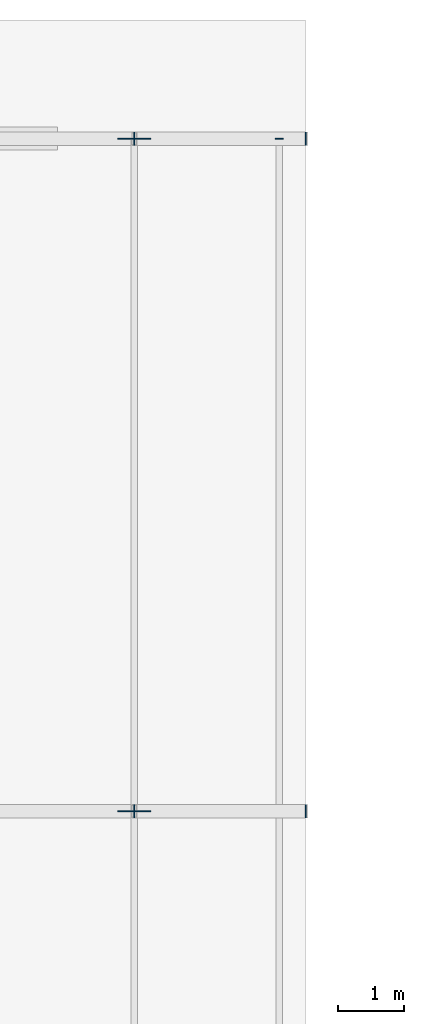
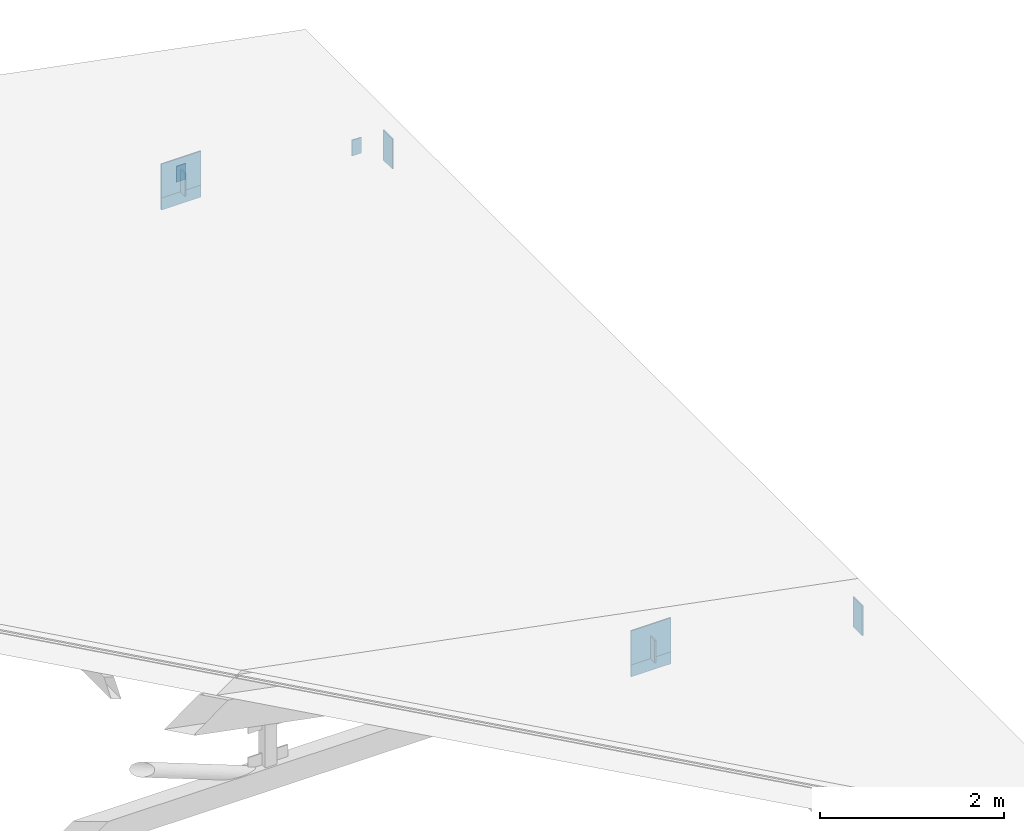
# One storey, part 169 of 200: 10 plates.
"""IFC4 building model written with IfcOpenShell, lengths in metres."""

import ifcopenshell
import ifcopenshell.guid

model = None  # the IFC model being written
_history = None  # IfcOwnerHistory: only IFC2X3 demands one
_inside = {}  # id of a spatial element -> (the spatial element, [elements in it])
_under = {}  # id of a project, library or spatial element -> (it, [spatial elements below it])
_declared = {}  # id of a project -> (the project, [libraries it declares])
_typed = {}  # id of a type object -> (the type object, [elements of that type])
_made_of = {}  # id of a material, layer set ... -> (it, [elements and type objects made of it])


def new_model(schema):
    """Start an empty IFC model of exactly this schema.

    Asked for "IFC4X3", IfcOpenShell would pick the latest addendum, in which some entities
    have other attributes; the version numbers below select the first issue.
    IFC2X3 requires an IfcOwnerHistory on every rooted entity: one is made here for all.
    """
    global model, _history
    if schema == "IFC4X3":
        model = ifcopenshell.file(schema_version=(4, 3, 0, 0))
    else:
        model = ifcopenshell.file(schema=schema)
    _inside.clear()
    _under.clear()
    _declared.clear()
    _typed.clear()
    _made_of.clear()
    _history = None
    if model.schema == "IFC2X3":
        org = make("IfcOrganization", Name="unknown")
        user = make(
            "IfcPersonAndOrganization",
            ThePerson=make("IfcPerson", FamilyName="unknown"),
            TheOrganization=org,
        )
        app = make(
            "IfcApplication",
            ApplicationDeveloper=org,
            Version="unknown",
            ApplicationFullName="unknown",
            ApplicationIdentifier="unknown",
        )
        _history = make(
            "IfcOwnerHistory",
            OwningUser=user,
            OwningApplication=app,
            ChangeAction="ADDED",
            CreationDate=0,
        )
    return model


def make(cls, **values):
    """One entity of the class cls with the attributes given. An attribute that is None is left unset."""
    return model.create_entity(
        cls, **{name: value for name, value in values.items() if value is not None}
    )


def rooted(cls, **values):
    """An entity with a GlobalId (a new one), such as an element, a storey or a relation."""
    return make(cls, GlobalId=ifcopenshell.guid.new(), OwnerHistory=_history, **values)


def si_unit(unit_type, name, prefix=None):
    """IfcSIUnit, for example si_unit("LENGTHUNIT", "METRE", prefix="MILLI")."""
    return make("IfcSIUnit", UnitType=unit_type, Prefix=prefix, Name=name)


def assignment(units):
    """IfcUnitAssignment: the units of a project."""
    return None if units is None else make("IfcUnitAssignment", Units=units)


def point(xyz):
    """IfcCartesianPoint."""
    return None if xyz is None else make("IfcCartesianPoint", Coordinates=xyz)


def direction(xyz):
    """IfcDirection."""
    return None if xyz is None else make("IfcDirection", DirectionRatios=xyz)


def frame(location, z_axis=None, x_axis=None):
    """IfcAxis2Placement3D, a coordinate frame: its origin and axes. An axis left out is left unset."""
    return make(
        "IfcAxis2Placement3D",
        Location=point(location),
        Axis=direction(z_axis),
        RefDirection=direction(x_axis),
    )


def frame_2d(location, x_axis=None):
    """IfcAxis2Placement2D, a coordinate frame in the plane: its origin and x axis."""
    return make(
        "IfcAxis2Placement2D", Location=point(location), RefDirection=direction(x_axis)
    )


def origin():
    """The frame at (0, 0, 0) with its axes left unset."""
    return frame((0.0, 0.0, 0.0))


def origin_2d():
    """The frame at (0, 0) in the plane with its x axis left unset."""
    return frame_2d((0.0, 0.0))


def place(relative_to, where):
    """IfcLocalPlacement: puts the frame where relative to a parent placement (None: the world)."""
    return make(
        "IfcLocalPlacement", PlacementRelTo=relative_to, RelativePlacement=where
    )


def context(
    kind, dimensions, precision=None, world=None, true_north=None, identifier=None
):
    """IfcGeometricRepresentationContext, for example the 3D "Model" context."""
    return make(
        "IfcGeometricRepresentationContext",
        ContextIdentifier=identifier,
        ContextType=kind,
        CoordinateSpaceDimension=dimensions,
        Precision=precision,
        WorldCoordinateSystem=world,
        TrueNorth=true_north,
    )


def subcontext(parent, identifier, kind, view, scale=None):
    """IfcGeometricRepresentationSubContext, for example "Body" below "Model"."""
    return make(
        "IfcGeometricRepresentationSubContext",
        ContextIdentifier=identifier,
        ContextType=kind,
        ParentContext=parent,
        TargetScale=scale,
        TargetView=view,
    )


def project(units=None, contexts=None):
    """IfcProject with its units and contexts."""
    return rooted(
        "IfcProject",
        Name="project",
        RepresentationContexts=contexts,
        UnitsInContext=assignment(units),
    )


def spatial(cls, under=None, at=None, **own):
    """A site, building, storey or space (cls), placed at a placement, below another one or the project."""
    s = rooted(cls, ObjectPlacement=at, **own)
    if under is not None:
        _under.setdefault(under.id(), (under, []))[1].append(s)
    return s


def profile(cls, at=None, kind="AREA", **sizes):
    """A parametric profile (cls). Its sizes go by their IFC names, for example OverallWidth=200.0."""
    return make(cls, ProfileType=kind, Position=at, **sizes)


def rectangle(**sizes):
    """IfcRectangleProfileDef."""
    return profile("IfcRectangleProfileDef", **sizes)


def extrude(swept, where, along, depth):
    """IfcExtrudedAreaSolid: the profile swept, set in the frame where, extruded along a direction by depth."""
    return make(
        "IfcExtrudedAreaSolid",
        SweptArea=swept,
        Position=where,
        ExtrudedDirection=direction(along),
        Depth=depth,
    )


def shape(context_of_items, identifier, shape_type, items):
    """IfcShapeRepresentation: the items that make up one representation, for example the "Body"."""
    return make(
        "IfcShapeRepresentation",
        ContextOfItems=context_of_items,
        RepresentationIdentifier=identifier,
        RepresentationType=shape_type,
        Items=items,
    )


def material(Name=None, Category=None):
    """IfcMaterial."""
    return make("IfcMaterial", Name=Name, Category=Category)


def layer(
    of_material, thickness, ventilated=None, Name=None, Category=None, Priority=None
):
    """IfcMaterialLayer: one layer of a wall or slab, of a material (None: an air gap)."""
    return make(
        "IfcMaterialLayer",
        Material=of_material,
        LayerThickness=thickness,
        IsVentilated=ventilated,
        Name=Name,
        Category=Category,
        Priority=Priority,
    )


def layer_set(layers, Name=None):
    """IfcMaterialLayerSet."""
    return make("IfcMaterialLayerSet", MaterialLayers=layers, LayerSetName=Name)


def made_of(thing, what):
    """Note that an element or type object is made of a material, layer set ...; save() writes the relation."""
    if what is not None:
        _made_of.setdefault(what.id(), (what, []))[1].append(thing)
    return thing


def type_object(cls, material=None, **own):
    """A type object (cls), such as IfcWallType, which elements share."""
    return made_of(rooted(cls, **own), material)


def element(
    cls,
    number,
    at=None,
    inside=None,
    cuts=None,
    type_object=None,
    material=None,
    context=None,
    identifier="Body",
    shape_type=None,
    held_by="IfcProductDefinitionShape",
    body=None,
    shapes=None,
    **own,
):
    """One element of the class cls, such as IfcWall. Its Tag is "e" and its number.

    at: its placement. inside: the storey or other place that contains it. cuts: it is an
    opening in that element (IfcRelVoidsElement). A single representation is given by context,
    identifier, shape_type and body (its items); several are given by shapes. held_by: the class
    of the entity that holds the representations. save() writes the other relations.
    """
    e = rooted(cls, Tag="e%d" % number, ObjectPlacement=at, **own)
    if body is not None:
        shapes = [shape(context, identifier, shape_type, body)]
    if shapes is not None:
        e.Representation = make(held_by, Representations=shapes)
    if inside is not None:
        _inside.setdefault(inside.id(), (inside, []))[1].append(e)
    if cuts is not None:
        rooted(
            "IfcRelVoidsElement", RelatingBuildingElement=cuts, RelatedOpeningElement=e
        )
    if type_object is not None:
        _typed.setdefault(type_object.id(), (type_object, []))[1].append(e)
    return made_of(e, material)


def aggregate(whole, parts):
    """IfcRelAggregates: a whole, such as a stair, and the parts it consists of."""
    return rooted("IfcRelAggregates", RelatingObject=whole, RelatedObjects=parts)


def save(model, path):
    """Write the relations noted so far, then the file.

    IfcRelAggregates (storeys below a building ...), IfcRelContainedInSpatialStructure (elements
    in a storey), IfcRelDefinesByType, IfcRelAssociatesMaterial and IfcRelDeclares: one each for
    every whole, place, type object, material and project.
    """
    for whole, parts in _under.values():
        aggregate(whole, parts)
    for where, things in _inside.values():
        rooted(
            "IfcRelContainedInSpatialStructure",
            RelatedElements=things,
            RelatingStructure=where,
        )
    for kind, things in _typed.values():
        rooted("IfcRelDefinesByType", RelatedObjects=things, RelatingType=kind)
    for what, things in _made_of.values():
        rooted("IfcRelAssociatesMaterial", RelatedObjects=things, RelatingMaterial=what)
    for by, libraries in _declared.values():
        rooted("IfcRelDeclares", RelatingContext=by, RelatedDefinitions=libraries)
    model.write(path)


model = new_model("IFC4")

# Units and contexts
model_context = context("Model", 3, precision=1e-05, world=origin(), true_north=direction((0.0, 1.0)))
body_context = subcontext(model_context, "Body", "Model", "MODEL_VIEW")
ifc_project = project(units=[si_unit("LENGTHUNIT", "METRE"), si_unit("AREAUNIT", "SQUARE_METRE"), si_unit("VOLUMEUNIT", "CUBIC_METRE"), si_unit("PLANEANGLEUNIT", "RADIAN"), si_unit("MASSUNIT", "GRAM", prefix="KILO")], contexts=[model_context])

# Site, building, storey
site_placement = place(None, origin())
site = spatial("IfcSite", under=ifc_project, at=site_placement, CompositionType="ELEMENT")
building_placement = place(site_placement, origin())
building = spatial("IfcBuilding", under=site, at=building_placement, Name="Vondelvale Polytechnic", CompositionType="ELEMENT")
storey_placement = place(building_placement, frame((0.0, 0.0, 13.800048828125)))
storey = spatial("IfcBuildingStorey", under=building, at=storey_placement, Name="L03", CompositionType="ELEMENT", Elevation=13.800048828125)

# Plates
ifc_material = material(Name="Steel Grade 350 (fy = 340 MPa)", Category="steel")
ifc_layer_1 = layer(ifc_material, 0.01611328125)
ifc_layer_set_1 = layer_set([ifc_layer_1], Name="PLATE-CAP-300x200")
plate_type_1 = type_object("IfcPlateType", Name="PLATE-CAP-300x200", PredefinedType="USERDEFINED", material=ifc_layer_set_1)
for number, where, z_axis, x_axis, name in (
    (1, (48.0, 112.199951171875, -0.5703125), (0.0, 0.0, 1.0), (1.0, 0.0, 0.0), "ROOF TRUSS bottom chord cap plate E"),
    (2, (48.0, 122.39990234375, -0.5703125), (0.0, 0.0, 1.0), (1.0, 0.0, 0.0), "ROOF TRUSS bottom chord cap plate E"),
):
    element("IfcPlate", number, at=place(storey_placement, frame(where, z_axis=z_axis, x_axis=x_axis)), inside=storey, type_object=plate_type_1, Name=name, ObjectType="CAP_PLATE", PredefinedType="USERDEFINED", context=body_context, shape_type="SweptSolid", body=[
        extrude(rectangle(XDim=0.01611328125, YDim=0.199951171875, at=origin_2d()), origin(), (0.0, 0.0, 1.0), 0.300048828125),
    ])
ifc_layer_2 = layer(ifc_material, 0.01611328125)
ifc_layer_set_2 = layer_set([ifc_layer_2], Name="PLATE-CAP-400x200")
plate_type_2 = type_object("IfcPlateType", Name="PLATE-CAP-400x200", PredefinedType="USERDEFINED", material=ifc_layer_set_2)
for number, where, z_axis, x_axis, name in (
    (3, (50.60009765625, 112.199951171875, -1.12109375), (0.0, 0.0, 1.0), (1.0, 0.0, 0.0), "ROOF TRUSS hollow end cap plate E"),
    (4, (50.60009765625, 122.39990234375, -1.12109375), (0.0, 0.0, 1.0), (1.0, 0.0, 0.0), "ROOF TRUSS hollow end cap plate E"),
):
    element("IfcPlate", number, at=place(storey_placement, frame(where, z_axis=z_axis, x_axis=x_axis)), inside=storey, type_object=plate_type_2, Name=name, ObjectType="CAP_PLATE", PredefinedType="USERDEFINED", context=body_context, shape_type="SweptSolid", body=[
        extrude(rectangle(XDim=0.01611328125, YDim=0.199951171875, at=origin_2d()), origin(), (0.0, 0.0, 1.0), 0.39990234375),
    ])
ifc_layer_3 = layer(ifc_material, 0.011962890625)
ifc_layer_set_3 = layer_set([ifc_layer_3], Name="PLATE-CAP-C04")
plate_type_3 = type_object("IfcPlateType", Name="PLATE-CAP-C04", PredefinedType="USERDEFINED", material=ifc_layer_set_3)
for number, where, z_axis, x_axis, name in (
    (5, (48.0, 122.39990234375, -0.423828125), (0.0, 0.0, 1.0), (1.0, 0.0, 0.0), "Workshop purlin North end cap plate 10"),
    (6, (50.199951171875, 122.39990234375, -0.84765625), (0.0, 0.0, 1.0), (1.0, 0.0, 0.0), "Workshop purlin North end cap plate 11"),
):
    element("IfcPlate", number, at=place(storey_placement, frame(where, z_axis=z_axis, x_axis=x_axis)), inside=storey, type_object=plate_type_3, Name=name, ObjectType="CAP_PLATE", PredefinedType="USERDEFINED", context=body_context, shape_type="SweptSolid", body=[
        extrude(rectangle(XDim=0.1201171875, YDim=0.011962890625, at=origin_2d()), origin(), (0.0, 0.0, 1.0), 0.2099609375),
    ])
ifc_layer_4 = layer(ifc_material, 0.01611328125)
ifc_layer_set_4 = layer_set([ifc_layer_4], Name="PLATE-GUSSET-16")
plate_type_4 = type_object("IfcPlateType", Name="PLATE-GUSSET-16", PredefinedType="USERDEFINED", material=ifc_layer_set_4)
for number, where, z_axis, x_axis, name in (
    (7, (48.0, 112.199951171875, -0.72509765625), (0.0, 0.0, 1.0), (1.0, 0.0, 0.0), "ROOF TRUSS top chord gusset node plate 9"),
    (8, (48.0, 112.199951171875, -0.56494140625), (0.0, 0.0, 1.0), (1.0, 0.0, 0.0), "ROOF TRUSS bottom chord gusset node plate 9"),
    (9, (48.0, 122.39990234375, -0.72509765625), (0.0, 0.0, 1.0), (1.0, 0.0, 0.0), "ROOF TRUSS top chord gusset node plate 9"),
    (10, (48.0, 122.39990234375, -0.56494140625), (0.0, 0.0, 1.0), (1.0, 0.0, 0.0), "ROOF TRUSS bottom chord gusset node plate 9"),
):
    element("IfcPlate", number, at=place(storey_placement, frame(where, z_axis=z_axis, x_axis=x_axis)), inside=storey, type_object=plate_type_4, Name=name, ObjectType="GUSSET_PLATE", PredefinedType="USERDEFINED", context=body_context, shape_type="SweptSolid", body=[
        extrude(rectangle(XDim=0.5, YDim=0.01611328125, at=origin_2d()), origin(), (0.0, 0.0, 1.0), 0.449951171875),
    ])

save(model, "model.ifc")
